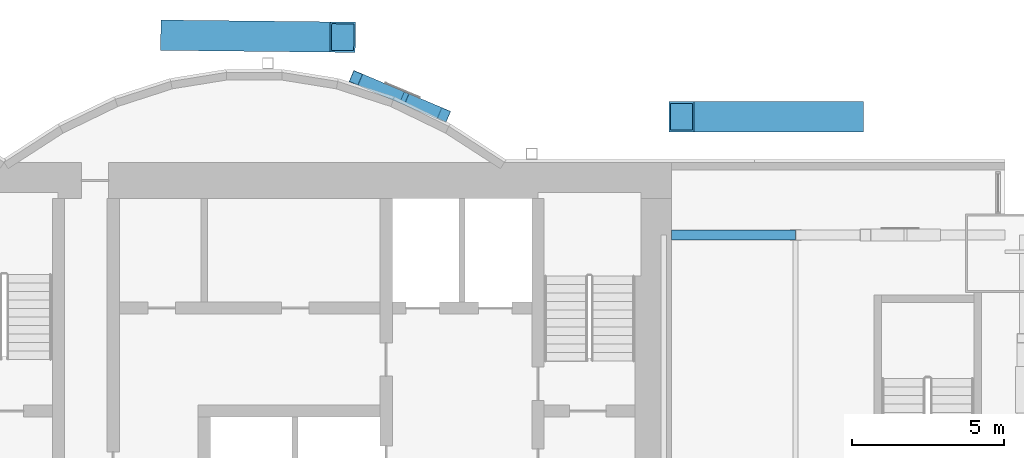
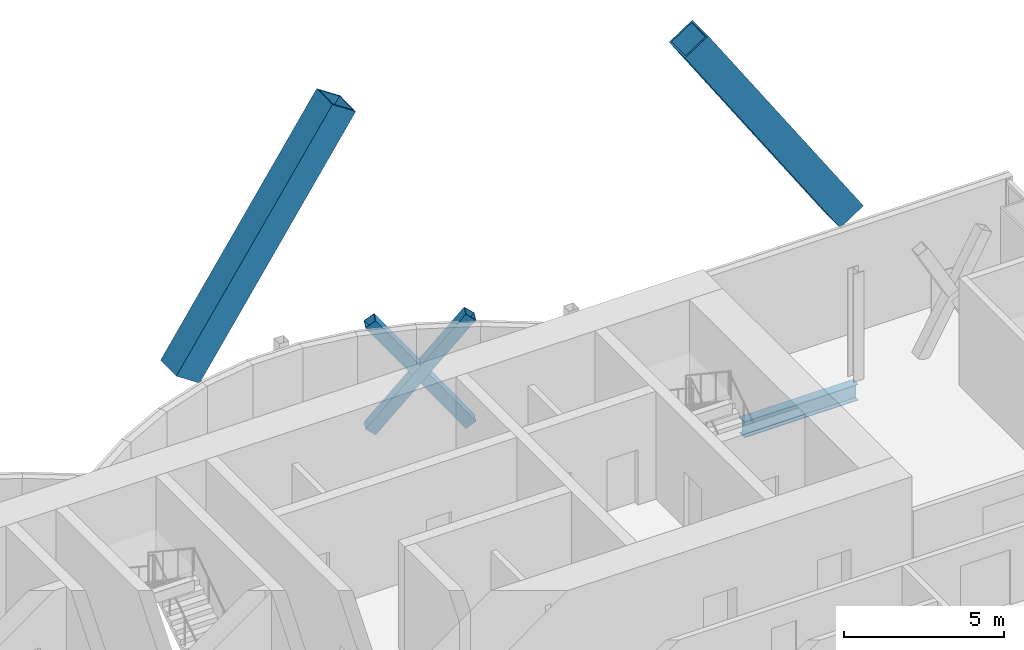
# One storey, part 12 of 21: 5 members, 1 beam.
"""IFC4 building model written with IfcOpenShell, lengths in metres."""

from ifc_helpers import new_model, si_unit, direction, frame, origin, origin_2d, place, context, subcontext, project, spatial, hollow_rectangle, i_section, extrude, material, material_profile, profile_set, type_object, element, save


model = new_model("IFC4")

# Units and contexts
model_context = context("Model", 3, precision=1e-05, world=origin(), true_north=direction((0.0, 1.0)))
body_context = subcontext(model_context, "Body", "Model", "MODEL_VIEW")
ifc_project = project(units=[si_unit("LENGTHUNIT", "METRE"), si_unit("AREAUNIT", "SQUARE_METRE"), si_unit("VOLUMEUNIT", "CUBIC_METRE"), si_unit("PLANEANGLEUNIT", "RADIAN"), si_unit("MASSUNIT", "GRAM", prefix="KILO")], contexts=[model_context])

# Site, building, storey
site_placement = place(None, origin())
site = spatial("IfcSite", under=ifc_project, at=site_placement, CompositionType="ELEMENT")
building_placement = place(site_placement, origin())
building = spatial("IfcBuilding", under=site, at=building_placement, Name="Bicima Exchange Tower", CompositionType="ELEMENT")
storey_placement = place(building_placement, frame((0.0, 0.0, 195.0)))
storey = spatial("IfcBuildingStorey", under=building, at=storey_placement, Name="L43", CompositionType="ELEMENT", Elevation=195.0)

# Members
ifc_material_1 = material(Name="Steel ASTM A572 Gr 50", Category="steel")
ifc_material_profile_1 = material_profile(ifc_material_1, hollow_rectangle(XDim=1.0, YDim=1.0, WallThickness=0.06005859375, at=origin_2d()))
ifc_profile_set_1 = profile_set([ifc_material_profile_1], Name="Steel ASTM A572 Gr 50")
member_type_1 = type_object("IfcMemberType", Name="Exo mega brace BOX 1000x1000x60", PredefinedType="BRACE", material=ifc_profile_set_1)
member_1_placement = place(storey_placement, frame((5.583251953125, 4.1865234375, 3.416748046875), z_axis=(0.552803101452, -0.006091227878, 0.833289642302), x_axis=(0.011018133066, 0.99993929853, 0.0)))
element("IfcMember", 1, at=member_1_placement, inside=storey, type_object=member_type_1, Name="Exo mega brace rear", PredefinedType="BRACE", context=body_context, shape_type="SweptSolid", body=[
    extrude(hollow_rectangle(XDim=1.0, YDim=1.0, WallThickness=0.06005859375, at=origin_2d()), origin(), (0.0, 0.0, 1.0), 10.100341796875),
])
member_2_placement = place(storey_placement, frame((27.916748046875, 1.5, 3.416748046875), z_axis=(-0.55281335708, 0.0, 0.833305101529), x_axis=(0.0, -1.0, 0.0)))
element("IfcMember", 2, at=member_2_placement, inside=storey, type_object=member_type_1, Name="Exo mega brace rear", PredefinedType="BRACE", context=body_context, shape_type="SweptSolid", body=[
    extrude(hollow_rectangle(XDim=1.0, YDim=1.0, WallThickness=0.06005859375, at=origin_2d()), origin(), (0.0, 0.0, 1.0), 10.10009765625),
])
ifc_material_profile_2 = material_profile(ifc_material_1, hollow_rectangle(XDim=0.406494140625, YDim=0.406494140625, WallThickness=0.0146484375, at=origin_2d()))
ifc_profile_set_2 = profile_set([ifc_material_profile_2], Name="Steel ASTM A572 Gr 50")
member_type_2 = type_object("IfcMemberType", Name="Mega brace HSS16x16x5/8", PredefinedType="BRACE", material=ifc_profile_set_2)
member_3_placement = place(storey_placement, frame((11.60009765625, 2.783203125, 0.0), z_axis=(0.560941150383, -0.237353950314, 0.793100326615), x_axis=(0.389685518438, 0.920947988064, 0.0)))
element("IfcMember", 3, at=member_3_placement, inside=storey, type_object=member_type_2, Name="Mega brace rexo", PredefinedType="BRACE", context=body_context, shape_type="SweptSolid", body=[
    extrude(hollow_rectangle(XDim=0.406494140625, YDim=0.406494140625, WallThickness=0.0146484375, at=origin_2d()), origin(), (0.0, 0.0, 1.0), 5.169677734375),
])
for number, where, z_axis, x_axis, name in (
    (4, (14.5, 1.55615234375, 0.0), (-0.5609019264, 0.237404536868, 0.793112926912), (-0.389779070565, -0.920908397263, 0.0), "Mega brace rexo"),
    (5, (12.97119140625, 2.203125, 2.161376953125), (-0.560915223589, 0.237310286903, 0.793131729082), (-0.389639990837, -0.920967251069, 0.0), "Mega brace rexo"),
):
    element("IfcMember", number, at=place(storey_placement, frame(where, z_axis=z_axis, x_axis=x_axis)), inside=storey, type_object=member_type_2, Name=name, PredefinedType="BRACE", context=body_context, shape_type="SweptSolid", body=[
        extrude(hollow_rectangle(XDim=0.406494140625, YDim=0.406494140625, WallThickness=0.0146484375, at=origin_2d()), origin(), (0.0, 0.0, 1.0), 2.4443359375),
    ])

# Beam
ifc_material_2 = material(Name="Steel ASTM A992 Gr 50", Category="steel")
ifc_material_profile_3 = material_profile(ifc_material_2, i_section(OverallWidth=0.3251953125, OverallDepth=0.612060546875, WebThickness=0.0126953125, FlangeThickness=0.01904296875, at=origin_2d()))
ifc_profile_set_3 = profile_set([ifc_material_profile_3], Name="Steel ASTM A992 Gr 50")
beam_type = type_object("IfcBeamType", Name="Rear girder W24x104", PredefinedType="BEAM", material=ifc_profile_set_3)
beam_placement = place(storey_placement, frame((22.0, -2.39990234375, -0.4560546875), z_axis=(1.0, 0.0, 0.0), x_axis=(0.0, 1.0, 0.0)))
element("IfcBeam", 6, at=beam_placement, inside=storey, type_object=beam_type, Name="Rear girder", PredefinedType="BEAM", context=body_context, shape_type="SweptSolid", body=[
    extrude(i_section(OverallWidth=0.3251953125, OverallDepth=0.612060546875, WebThickness=0.0126953125, FlangeThickness=0.01904296875, at=origin_2d()), origin(), (0.0, 0.0, 1.0), 4.10009765625),
])

save(model, "model.ifc")
